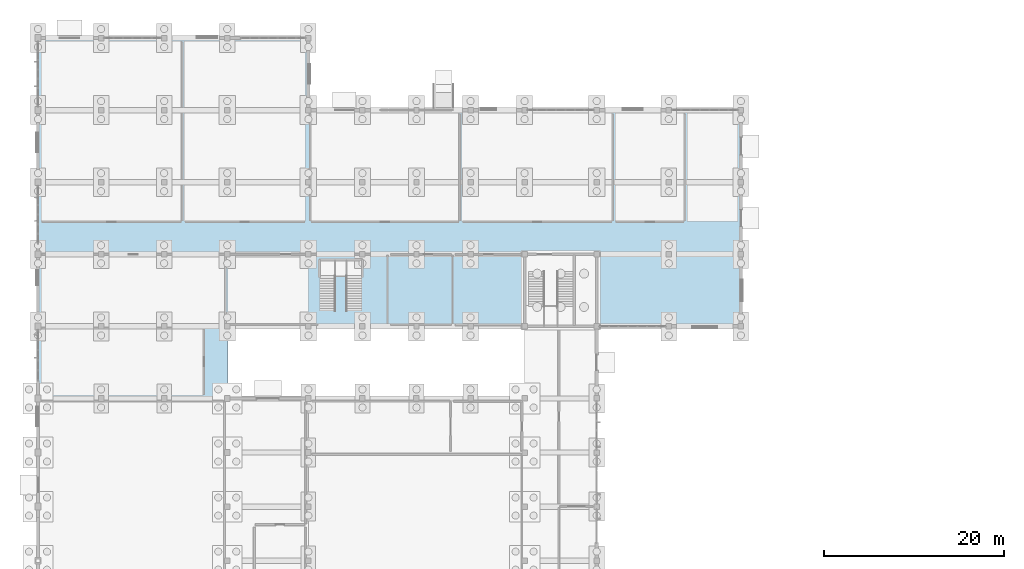
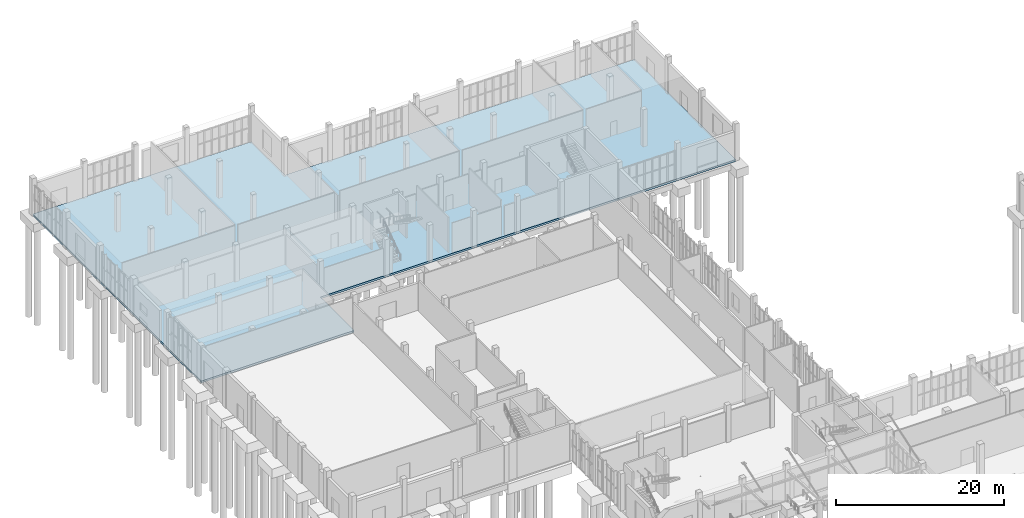
# One storey, part 37 of 69: 1 slab.
"""IFC4 building model written with IfcOpenShell, lengths in metres."""

import ifcopenshell
import ifcopenshell.guid

model = None  # the IFC model being written
_history = None  # IfcOwnerHistory: only IFC2X3 demands one
_inside = {}  # id of a spatial element -> (the spatial element, [elements in it])
_under = {}  # id of a project, library or spatial element -> (it, [spatial elements below it])
_declared = {}  # id of a project -> (the project, [libraries it declares])
_typed = {}  # id of a type object -> (the type object, [elements of that type])
_made_of = {}  # id of a material, layer set ... -> (it, [elements and type objects made of it])


def new_model(schema):
    """Start an empty IFC model of exactly this schema.

    Asked for "IFC4X3", IfcOpenShell would pick the latest addendum, in which some entities
    have other attributes; the version numbers below select the first issue.
    IFC2X3 requires an IfcOwnerHistory on every rooted entity: one is made here for all.
    """
    global model, _history
    if schema == "IFC4X3":
        model = ifcopenshell.file(schema_version=(4, 3, 0, 0))
    else:
        model = ifcopenshell.file(schema=schema)
    _inside.clear()
    _under.clear()
    _declared.clear()
    _typed.clear()
    _made_of.clear()
    _history = None
    if model.schema == "IFC2X3":
        org = make("IfcOrganization", Name="unknown")
        user = make(
            "IfcPersonAndOrganization",
            ThePerson=make("IfcPerson", FamilyName="unknown"),
            TheOrganization=org,
        )
        app = make(
            "IfcApplication",
            ApplicationDeveloper=org,
            Version="unknown",
            ApplicationFullName="unknown",
            ApplicationIdentifier="unknown",
        )
        _history = make(
            "IfcOwnerHistory",
            OwningUser=user,
            OwningApplication=app,
            ChangeAction="ADDED",
            CreationDate=0,
        )
    return model


def make(cls, **values):
    """One entity of the class cls with the attributes given. An attribute that is None is left unset."""
    return model.create_entity(
        cls, **{name: value for name, value in values.items() if value is not None}
    )


def rooted(cls, **values):
    """An entity with a GlobalId (a new one), such as an element, a storey or a relation."""
    return make(cls, GlobalId=ifcopenshell.guid.new(), OwnerHistory=_history, **values)


def si_unit(unit_type, name, prefix=None):
    """IfcSIUnit, for example si_unit("LENGTHUNIT", "METRE", prefix="MILLI")."""
    return make("IfcSIUnit", UnitType=unit_type, Prefix=prefix, Name=name)


def assignment(units):
    """IfcUnitAssignment: the units of a project."""
    return None if units is None else make("IfcUnitAssignment", Units=units)


def point(xyz):
    """IfcCartesianPoint."""
    return None if xyz is None else make("IfcCartesianPoint", Coordinates=xyz)


def direction(xyz):
    """IfcDirection."""
    return None if xyz is None else make("IfcDirection", DirectionRatios=xyz)


def frame(location, z_axis=None, x_axis=None):
    """IfcAxis2Placement3D, a coordinate frame: its origin and axes. An axis left out is left unset."""
    return make(
        "IfcAxis2Placement3D",
        Location=point(location),
        Axis=direction(z_axis),
        RefDirection=direction(x_axis),
    )


def origin():
    """The frame at (0, 0, 0) with its axes left unset."""
    return frame((0.0, 0.0, 0.0))


def place(relative_to, where):
    """IfcLocalPlacement: puts the frame where relative to a parent placement (None: the world)."""
    return make(
        "IfcLocalPlacement", PlacementRelTo=relative_to, RelativePlacement=where
    )


def context(
    kind, dimensions, precision=None, world=None, true_north=None, identifier=None
):
    """IfcGeometricRepresentationContext, for example the 3D "Model" context."""
    return make(
        "IfcGeometricRepresentationContext",
        ContextIdentifier=identifier,
        ContextType=kind,
        CoordinateSpaceDimension=dimensions,
        Precision=precision,
        WorldCoordinateSystem=world,
        TrueNorth=true_north,
    )


def subcontext(parent, identifier, kind, view, scale=None):
    """IfcGeometricRepresentationSubContext, for example "Body" below "Model"."""
    return make(
        "IfcGeometricRepresentationSubContext",
        ContextIdentifier=identifier,
        ContextType=kind,
        ParentContext=parent,
        TargetScale=scale,
        TargetView=view,
    )


def project(units=None, contexts=None):
    """IfcProject with its units and contexts."""
    return rooted(
        "IfcProject",
        Name="project",
        RepresentationContexts=contexts,
        UnitsInContext=assignment(units),
    )


def spatial(cls, under=None, at=None, **own):
    """A site, building, storey or space (cls), placed at a placement, below another one or the project."""
    s = rooted(cls, ObjectPlacement=at, **own)
    if under is not None:
        _under.setdefault(under.id(), (under, []))[1].append(s)
    return s


def polyline(points):
    """IfcPolyline through the points."""
    return make("IfcPolyline", Points=[point(p) for p in points])


def outline(outer, holes=None, kind="AREA"):
    """IfcArbitraryClosedProfileDef: a profile drawn as a closed curve; with holes, ...WithVoids."""
    if holes is None:
        return make("IfcArbitraryClosedProfileDef", ProfileType=kind, OuterCurve=outer)
    return make(
        "IfcArbitraryProfileDefWithVoids",
        ProfileType=kind,
        OuterCurve=outer,
        InnerCurves=holes,
    )


def extrude(swept, where, along, depth):
    """IfcExtrudedAreaSolid: the profile swept, set in the frame where, extruded along a direction by depth."""
    return make(
        "IfcExtrudedAreaSolid",
        SweptArea=swept,
        Position=where,
        ExtrudedDirection=direction(along),
        Depth=depth,
    )


def shape(context_of_items, identifier, shape_type, items):
    """IfcShapeRepresentation: the items that make up one representation, for example the "Body"."""
    return make(
        "IfcShapeRepresentation",
        ContextOfItems=context_of_items,
        RepresentationIdentifier=identifier,
        RepresentationType=shape_type,
        Items=items,
    )


def material(Name=None, Category=None):
    """IfcMaterial."""
    return make("IfcMaterial", Name=Name, Category=Category)


def layer(
    of_material, thickness, ventilated=None, Name=None, Category=None, Priority=None
):
    """IfcMaterialLayer: one layer of a wall or slab, of a material (None: an air gap)."""
    return make(
        "IfcMaterialLayer",
        Material=of_material,
        LayerThickness=thickness,
        IsVentilated=ventilated,
        Name=Name,
        Category=Category,
        Priority=Priority,
    )


def layer_set(layers, Name=None):
    """IfcMaterialLayerSet."""
    return make("IfcMaterialLayerSet", MaterialLayers=layers, LayerSetName=Name)


def made_of(thing, what):
    """Note that an element or type object is made of a material, layer set ...; save() writes the relation."""
    if what is not None:
        _made_of.setdefault(what.id(), (what, []))[1].append(thing)
    return thing


def type_object(cls, material=None, **own):
    """A type object (cls), such as IfcWallType, which elements share."""
    return made_of(rooted(cls, **own), material)


def element(
    cls,
    number,
    at=None,
    inside=None,
    cuts=None,
    type_object=None,
    material=None,
    context=None,
    identifier="Body",
    shape_type=None,
    held_by="IfcProductDefinitionShape",
    body=None,
    shapes=None,
    **own,
):
    """One element of the class cls, such as IfcWall. Its Tag is "e" and its number.

    at: its placement. inside: the storey or other place that contains it. cuts: it is an
    opening in that element (IfcRelVoidsElement). A single representation is given by context,
    identifier, shape_type and body (its items); several are given by shapes. held_by: the class
    of the entity that holds the representations. save() writes the other relations.
    """
    e = rooted(cls, Tag="e%d" % number, ObjectPlacement=at, **own)
    if body is not None:
        shapes = [shape(context, identifier, shape_type, body)]
    if shapes is not None:
        e.Representation = make(held_by, Representations=shapes)
    if inside is not None:
        _inside.setdefault(inside.id(), (inside, []))[1].append(e)
    if cuts is not None:
        rooted(
            "IfcRelVoidsElement", RelatingBuildingElement=cuts, RelatedOpeningElement=e
        )
    if type_object is not None:
        _typed.setdefault(type_object.id(), (type_object, []))[1].append(e)
    return made_of(e, material)


def aggregate(whole, parts):
    """IfcRelAggregates: a whole, such as a stair, and the parts it consists of."""
    return rooted("IfcRelAggregates", RelatingObject=whole, RelatedObjects=parts)


def save(model, path):
    """Write the relations noted so far, then the file.

    IfcRelAggregates (storeys below a building ...), IfcRelContainedInSpatialStructure (elements
    in a storey), IfcRelDefinesByType, IfcRelAssociatesMaterial and IfcRelDeclares: one each for
    every whole, place, type object, material and project.
    """
    for whole, parts in _under.values():
        aggregate(whole, parts)
    for where, things in _inside.values():
        rooted(
            "IfcRelContainedInSpatialStructure",
            RelatedElements=things,
            RelatingStructure=where,
        )
    for kind, things in _typed.values():
        rooted("IfcRelDefinesByType", RelatedObjects=things, RelatingType=kind)
    for what, things in _made_of.values():
        rooted("IfcRelAssociatesMaterial", RelatedObjects=things, RelatingMaterial=what)
    for by, libraries in _declared.values():
        rooted("IfcRelDeclares", RelatingContext=by, RelatedDefinitions=libraries)
    model.write(path)


model = new_model("IFC4")

# Units and contexts
model_context = context("Model", 3, precision=1e-05, world=origin(), true_north=direction((0.0, 1.0)))
body_context = subcontext(model_context, "Body", "Model", "MODEL_VIEW")
ifc_project = project(units=[si_unit("LENGTHUNIT", "METRE"), si_unit("AREAUNIT", "SQUARE_METRE"), si_unit("VOLUMEUNIT", "CUBIC_METRE"), si_unit("PLANEANGLEUNIT", "RADIAN"), si_unit("MASSUNIT", "GRAM", prefix="KILO")], contexts=[model_context])

# Site, building, storey
site_placement = place(None, origin())
site = spatial("IfcSite", under=ifc_project, at=site_placement, CompositionType="ELEMENT")
building_placement = place(site_placement, origin())
building = spatial("IfcBuilding", under=site, at=building_placement, Name="Solvane Community Centre", CompositionType="ELEMENT")
storey_placement = place(building_placement, origin())
storey = spatial("IfcBuildingStorey", under=building, at=storey_placement, Name="L00", CompositionType="ELEMENT", Elevation=0.0)

# Slab
ifc_material = material(Name="Concrete C35/45", Category="concrete")
ifc_layer = layer(ifc_material, 0.280029296875)
ifc_layer_set = layer_set([ifc_layer], Name="Concrete C35/45")
slab_type = type_object("IfcSlabType", Name="RC Ground Base Slab 280mm [FP-L00-V5]", PredefinedType="BASESLAB", material=ifc_layer_set)
slab_placement = place(storey_placement, frame((0.0, 0.0, -0.280029296875)))
element("IfcSlab", 1, at=slab_placement, inside=storey, type_object=slab_type, Name="Floor Slab FP-L00-V5", PredefinedType="BASESLAB", context=body_context, shape_type="SweptSolid", body=[
    extrude(outline(polyline([(6.0, 78.0), (27.0, 78.0), (27.0, 86.0), (84.0, 86.0), (84.0, 110.0), (36.0, 110.0), (36.0, 118.0), (6.0, 118.0), (6.0, 78.0)])), origin(), (0.0, 0.0, 1.0), 0.280029296875),
])

save(model, "model.ifc")
